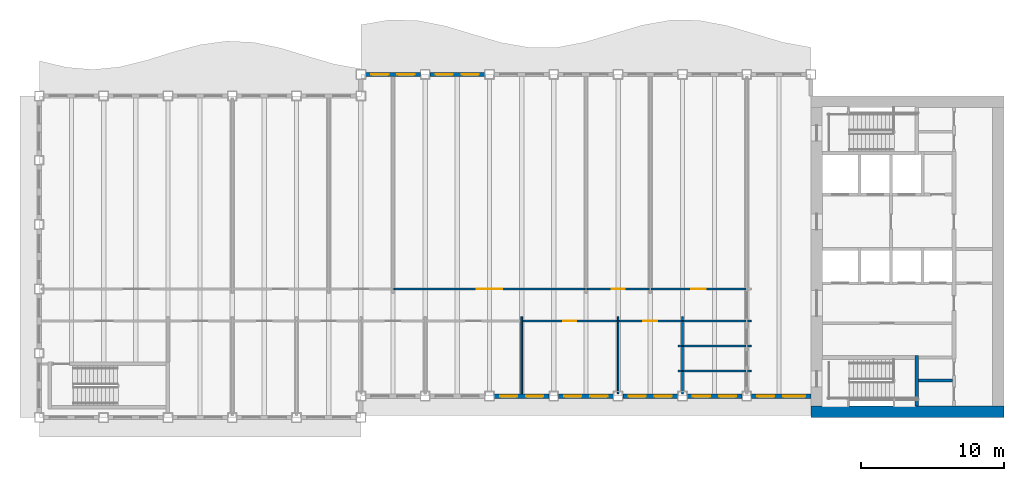
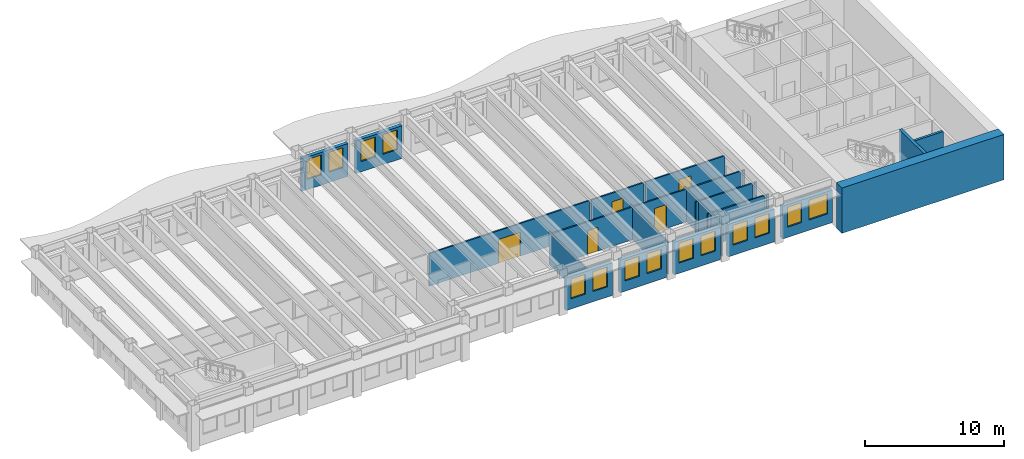
# One storey, part 4 of 12: 26 walls, 14 windows, 5 doors, 19 openings.
"""IFC4 building model written with IfcOpenShell, lengths in metres."""

import ifcopenshell
import ifcopenshell.guid

model = None  # the IFC model being written
_history = None  # IfcOwnerHistory: only IFC2X3 demands one
_inside = {}  # id of a spatial element -> (the spatial element, [elements in it])
_under = {}  # id of a project, library or spatial element -> (it, [spatial elements below it])
_declared = {}  # id of a project -> (the project, [libraries it declares])
_typed = {}  # id of a type object -> (the type object, [elements of that type])
_made_of = {}  # id of a material, layer set ... -> (it, [elements and type objects made of it])


def new_model(schema):
    """Start an empty IFC model of exactly this schema.

    Asked for "IFC4X3", IfcOpenShell would pick the latest addendum, in which some entities
    have other attributes; the version numbers below select the first issue.
    IFC2X3 requires an IfcOwnerHistory on every rooted entity: one is made here for all.
    """
    global model, _history
    if schema == "IFC4X3":
        model = ifcopenshell.file(schema_version=(4, 3, 0, 0))
    else:
        model = ifcopenshell.file(schema=schema)
    _inside.clear()
    _under.clear()
    _declared.clear()
    _typed.clear()
    _made_of.clear()
    _history = None
    if model.schema == "IFC2X3":
        org = make("IfcOrganization", Name="unknown")
        user = make(
            "IfcPersonAndOrganization",
            ThePerson=make("IfcPerson", FamilyName="unknown"),
            TheOrganization=org,
        )
        app = make(
            "IfcApplication",
            ApplicationDeveloper=org,
            Version="unknown",
            ApplicationFullName="unknown",
            ApplicationIdentifier="unknown",
        )
        _history = make(
            "IfcOwnerHistory",
            OwningUser=user,
            OwningApplication=app,
            ChangeAction="ADDED",
            CreationDate=0,
        )
    return model


def make(cls, **values):
    """One entity of the class cls with the attributes given. An attribute that is None is left unset."""
    return model.create_entity(
        cls, **{name: value for name, value in values.items() if value is not None}
    )


def rooted(cls, **values):
    """An entity with a GlobalId (a new one), such as an element, a storey or a relation."""
    return make(cls, GlobalId=ifcopenshell.guid.new(), OwnerHistory=_history, **values)


def si_unit(unit_type, name, prefix=None):
    """IfcSIUnit, for example si_unit("LENGTHUNIT", "METRE", prefix="MILLI")."""
    return make("IfcSIUnit", UnitType=unit_type, Prefix=prefix, Name=name)


def assignment(units):
    """IfcUnitAssignment: the units of a project."""
    return None if units is None else make("IfcUnitAssignment", Units=units)


def point(xyz):
    """IfcCartesianPoint."""
    return None if xyz is None else make("IfcCartesianPoint", Coordinates=xyz)


def direction(xyz):
    """IfcDirection."""
    return None if xyz is None else make("IfcDirection", DirectionRatios=xyz)


def frame(location, z_axis=None, x_axis=None):
    """IfcAxis2Placement3D, a coordinate frame: its origin and axes. An axis left out is left unset."""
    return make(
        "IfcAxis2Placement3D",
        Location=point(location),
        Axis=direction(z_axis),
        RefDirection=direction(x_axis),
    )


def frame_2d(location, x_axis=None):
    """IfcAxis2Placement2D, a coordinate frame in the plane: its origin and x axis."""
    return make(
        "IfcAxis2Placement2D", Location=point(location), RefDirection=direction(x_axis)
    )


def origin():
    """The frame at (0, 0, 0) with its axes left unset."""
    return frame((0.0, 0.0, 0.0))


def place(relative_to, where):
    """IfcLocalPlacement: puts the frame where relative to a parent placement (None: the world)."""
    return make(
        "IfcLocalPlacement", PlacementRelTo=relative_to, RelativePlacement=where
    )


def context(
    kind, dimensions, precision=None, world=None, true_north=None, identifier=None
):
    """IfcGeometricRepresentationContext, for example the 3D "Model" context."""
    return make(
        "IfcGeometricRepresentationContext",
        ContextIdentifier=identifier,
        ContextType=kind,
        CoordinateSpaceDimension=dimensions,
        Precision=precision,
        WorldCoordinateSystem=world,
        TrueNorth=true_north,
    )


def subcontext(parent, identifier, kind, view, scale=None):
    """IfcGeometricRepresentationSubContext, for example "Body" below "Model"."""
    return make(
        "IfcGeometricRepresentationSubContext",
        ContextIdentifier=identifier,
        ContextType=kind,
        ParentContext=parent,
        TargetScale=scale,
        TargetView=view,
    )


def project(units=None, contexts=None):
    """IfcProject with its units and contexts."""
    return rooted(
        "IfcProject",
        Name="project",
        RepresentationContexts=contexts,
        UnitsInContext=assignment(units),
    )


def spatial(cls, under=None, at=None, **own):
    """A site, building, storey or space (cls), placed at a placement, below another one or the project."""
    s = rooted(cls, ObjectPlacement=at, **own)
    if under is not None:
        _under.setdefault(under.id(), (under, []))[1].append(s)
    return s


def profile(cls, at=None, kind="AREA", **sizes):
    """A parametric profile (cls). Its sizes go by their IFC names, for example OverallWidth=200.0."""
    return make(cls, ProfileType=kind, Position=at, **sizes)


def rectangle(**sizes):
    """IfcRectangleProfileDef."""
    return profile("IfcRectangleProfileDef", **sizes)


def extrude(swept, where, along, depth):
    """IfcExtrudedAreaSolid: the profile swept, set in the frame where, extruded along a direction by depth."""
    return make(
        "IfcExtrudedAreaSolid",
        SweptArea=swept,
        Position=where,
        ExtrudedDirection=direction(along),
        Depth=depth,
    )


def shape(context_of_items, identifier, shape_type, items):
    """IfcShapeRepresentation: the items that make up one representation, for example the "Body"."""
    return make(
        "IfcShapeRepresentation",
        ContextOfItems=context_of_items,
        RepresentationIdentifier=identifier,
        RepresentationType=shape_type,
        Items=items,
    )


def material(Name=None, Category=None):
    """IfcMaterial."""
    return make("IfcMaterial", Name=Name, Category=Category)


def layer(
    of_material, thickness, ventilated=None, Name=None, Category=None, Priority=None
):
    """IfcMaterialLayer: one layer of a wall or slab, of a material (None: an air gap)."""
    return make(
        "IfcMaterialLayer",
        Material=of_material,
        LayerThickness=thickness,
        IsVentilated=ventilated,
        Name=Name,
        Category=Category,
        Priority=Priority,
    )


def layer_set(layers, Name=None):
    """IfcMaterialLayerSet."""
    return make("IfcMaterialLayerSet", MaterialLayers=layers, LayerSetName=Name)


def made_of(thing, what):
    """Note that an element or type object is made of a material, layer set ...; save() writes the relation."""
    if what is not None:
        _made_of.setdefault(what.id(), (what, []))[1].append(thing)
    return thing


def type_object(cls, material=None, **own):
    """A type object (cls), such as IfcWallType, which elements share."""
    return made_of(rooted(cls, **own), material)


def element(
    cls,
    number,
    at=None,
    inside=None,
    cuts=None,
    type_object=None,
    material=None,
    context=None,
    identifier="Body",
    shape_type=None,
    held_by="IfcProductDefinitionShape",
    body=None,
    shapes=None,
    **own,
):
    """One element of the class cls, such as IfcWall. Its Tag is "e" and its number.

    at: its placement. inside: the storey or other place that contains it. cuts: it is an
    opening in that element (IfcRelVoidsElement). A single representation is given by context,
    identifier, shape_type and body (its items); several are given by shapes. held_by: the class
    of the entity that holds the representations. save() writes the other relations.
    """
    e = rooted(cls, Tag="e%d" % number, ObjectPlacement=at, **own)
    if body is not None:
        shapes = [shape(context, identifier, shape_type, body)]
    if shapes is not None:
        e.Representation = make(held_by, Representations=shapes)
    if inside is not None:
        _inside.setdefault(inside.id(), (inside, []))[1].append(e)
    if cuts is not None:
        rooted(
            "IfcRelVoidsElement", RelatingBuildingElement=cuts, RelatedOpeningElement=e
        )
    if type_object is not None:
        _typed.setdefault(type_object.id(), (type_object, []))[1].append(e)
    return made_of(e, material)


def fill(opening, filler):
    """IfcRelFillsElement: the door or window that sits in an opening."""
    return rooted(
        "IfcRelFillsElement",
        RelatingOpeningElement=opening,
        RelatedBuildingElement=filler,
    )


def aggregate(whole, parts):
    """IfcRelAggregates: a whole, such as a stair, and the parts it consists of."""
    return rooted("IfcRelAggregates", RelatingObject=whole, RelatedObjects=parts)


def save(model, path):
    """Write the relations noted so far, then the file.

    IfcRelAggregates (storeys below a building ...), IfcRelContainedInSpatialStructure (elements
    in a storey), IfcRelDefinesByType, IfcRelAssociatesMaterial and IfcRelDeclares: one each for
    every whole, place, type object, material and project.
    """
    for whole, parts in _under.values():
        aggregate(whole, parts)
    for where, things in _inside.values():
        rooted(
            "IfcRelContainedInSpatialStructure",
            RelatedElements=things,
            RelatingStructure=where,
        )
    for kind, things in _typed.values():
        rooted("IfcRelDefinesByType", RelatedObjects=things, RelatingType=kind)
    for what, things in _made_of.values():
        rooted("IfcRelAssociatesMaterial", RelatedObjects=things, RelatingMaterial=what)
    for by, libraries in _declared.values():
        rooted("IfcRelDeclares", RelatingContext=by, RelatedDefinitions=libraries)
    model.write(path)


model = new_model("IFC4")

# Units and contexts
model_context = context("Model", 3, precision=1e-05, world=origin(), true_north=direction((0.0, 1.0)))
body_context = subcontext(model_context, "Body", "Model", "MODEL_VIEW")
ifc_project = project(units=[si_unit("LENGTHUNIT", "METRE"), si_unit("AREAUNIT", "SQUARE_METRE"), si_unit("VOLUMEUNIT", "CUBIC_METRE"), si_unit("PLANEANGLEUNIT", "RADIAN"), si_unit("MASSUNIT", "GRAM", prefix="KILO")], contexts=[model_context])

# Site, building, storey
site_placement = place(None, origin())
site = spatial("IfcSite", under=ifc_project, at=site_placement, CompositionType="ELEMENT")
building_placement = place(site_placement, origin())
building = spatial("IfcBuilding", under=site, at=building_placement, Name="Sennacour Bend Tower", CompositionType="ELEMENT")
storey_placement = place(building_placement, frame((0.0, 0.0, 277.0)))
storey = spatial("IfcBuildingStorey", under=building, at=storey_placement, Name="L64", CompositionType="ELEMENT", Elevation=277.0)

# Walls
ifc_material_1 = material(Name="Concrete C50/60", Category="concrete")
ifc_layer_1 = layer(ifc_material_1, 0.800048828125, Name="Concrete C50/60", Category="concrete")
ifc_layer_set_1 = layer_set([ifc_layer_1], Name="Concrete C50/60")
wall_type_1 = type_object("IfcWallType", Name="Core wall 800 C50/60", PredefinedType="SHEAR", material=ifc_layer_set_1)
wall_1_placement = place(storey_placement, frame((67.5, 0.39990234375, -0.14990234375), z_axis=(0.0, 0.0, 1.0), x_axis=(-1.0, 0.0, 0.0)))
element("IfcWall", 1, at=wall_1_placement, inside=storey, type_object=wall_type_1, Name="Core A wall L64 S", PredefinedType="SHEAR", context=body_context, shape_type="SweptSolid", body=[
    extrude(rectangle(XDim=13.5, YDim=0.800048828125, at=frame_2d((6.75, 0.0))), origin(), (0.0, 0.0, 1.0), 4.0),
])
ifc_material_2 = material(Name="Plasterboard partition on steel studs", Category="steel")
ifc_layer_2 = layer(ifc_material_2, 0.1201171875, Name="Plasterboard partition on steel studs", Category="steel")
ifc_layer_set_2 = layer_set([ifc_layer_2], Name="Plasterboard partition on steel studs")
wall_type_2 = type_object("IfcWallType", Name="Partition 120", PredefinedType="PARTITIONING", material=ifc_layer_set_2)
for number, where, z_axis, x_axis, name in (
    (2, (33.75, 1.64990234375, 0.0), (0.0, 0.0, 1.0), (0.0, 1.0, 0.0), "P-L64-W013a"),
    (3, (40.5, 1.64990234375, 0.0), (0.0, 0.0, 1.0), (0.0, 1.0, 0.0), "P-L64-W015a"),
    (4, (45.0, 1.64990234375, 0.0), (0.0, 0.0, 1.0), (0.0, 1.0, 0.0), "P-L64-W017a"),
):
    element("IfcWall", number, at=place(storey_placement, frame(where, z_axis=z_axis, x_axis=x_axis)), inside=storey, type_object=wall_type_2, Name=name, PredefinedType="PARTITIONING", context=body_context, shape_type="SweptSolid", body=[
        extrude(rectangle(XDim=5.400146484375, YDim=0.1201171875, at=frame_2d((2.7001953125, 0.0))), origin(), (0.0, 0.0, 1.0), 2.8701171875),
    ])
wall_2_placement = place(storey_placement, frame((44.699951171875, 3.25, 0.0), z_axis=(0.0, 0.0, 1.0), x_axis=(1.0, 0.0, 0.0)))
element("IfcWall", 5, at=wall_2_placement, inside=storey, type_object=wall_type_2, Name="P-L64-W036aa", PredefinedType="PARTITIONING", context=body_context, shape_type="SweptSolid", body=[
    extrude(rectangle(XDim=0.239990234375, YDim=0.1201171875, at=frame_2d((0.1201171875, 0.0))), origin(), (0.0, 0.0, 1.0), 2.8701171875),
])
wall_3_placement = place(storey_placement, frame((45.06005859375, 3.25, 0.0), z_axis=(0.0, 0.0, 1.0), x_axis=(1.0, 0.0, 0.0)))
element("IfcWall", 6, at=wall_3_placement, inside=storey, type_object=wall_type_2, Name="P-L64-W036ab", PredefinedType="PARTITIONING", context=body_context, shape_type="SweptSolid", body=[
    extrude(rectangle(XDim=4.3798828125, YDim=0.1201171875, at=frame_2d((2.18994140625, 0.0))), origin(), (0.0, 0.0, 1.0), 2.8701171875),
])
for number, where, z_axis, x_axis, name in (
    (7, (49.56005859375, 3.25, 0.0), (0.0, 0.0, 1.0), (1.0, 0.0, 0.0), "P-L64-W036ac"),
    (8, (44.699951171875, 5.0, 0.0), (0.0, 0.0, 1.0), (1.0, 0.0, 0.0), "P-L64-W041aa"),
):
    element("IfcWall", number, at=place(storey_placement, frame(where, z_axis=z_axis, x_axis=x_axis)), inside=storey, type_object=wall_type_2, Name=name, PredefinedType="PARTITIONING", context=body_context, shape_type="SweptSolid", body=[
        extrude(rectangle(XDim=0.239990234375, YDim=0.1201171875, at=frame_2d((0.1201171875, 0.0))), origin(), (0.0, 0.0, 1.0), 2.8701171875),
    ])
wall_4_placement = place(storey_placement, frame((45.06005859375, 5.0, 0.0), z_axis=(0.0, 0.0, 1.0), x_axis=(1.0, 0.0, 0.0)))
element("IfcWall", 9, at=wall_4_placement, inside=storey, type_object=wall_type_2, Name="P-L64-W041ab", PredefinedType="PARTITIONING", context=body_context, shape_type="SweptSolid", body=[
    extrude(rectangle(XDim=4.3798828125, YDim=0.1201171875, at=frame_2d((2.18994140625, 0.0))), origin(), (0.0, 0.0, 1.0), 2.8701171875),
])
wall_5_placement = place(storey_placement, frame((49.56005859375, 5.0, 0.0), z_axis=(0.0, 0.0, 1.0), x_axis=(1.0, 0.0, 0.0)))
element("IfcWall", 10, at=wall_5_placement, inside=storey, type_object=wall_type_2, Name="P-L64-W041ac", PredefinedType="PARTITIONING", context=body_context, shape_type="SweptSolid", body=[
    extrude(rectangle(XDim=0.239990234375, YDim=0.1201171875, at=frame_2d((0.1201171875, 0.0))), origin(), (0.0, 0.0, 1.0), 2.8701171875),
])

# Wall, opening, door
wall_6_placement = place(storey_placement, frame((40.56005859375, 6.75, 0.0), z_axis=(0.0, 0.0, 1.0), x_axis=(1.0, 0.0, 0.0)))
wall_6 = element("IfcWall", 11, at=wall_6_placement, inside=storey, type_object=wall_type_2, Name="P-L64-W043ah", PredefinedType="PARTITIONING", context=body_context, shape_type="SweptSolid", body=[
    extrude(rectangle(XDim=4.3798828125, YDim=0.1201171875, at=frame_2d((2.18994140625, 0.0))), origin(), (0.0, 0.0, 1.0), 2.8701171875),
])
opening_1_placement = place(wall_6_placement, frame((1.68994140625, 0.0, 0.0)))
opening_1 = element("IfcOpeningElement", 12, at=opening_1_placement, cuts=wall_6, Name="Opening OD2", PredefinedType="OPENING", context=body_context, shape_type="SweptSolid", body=[
    extrude(rectangle(XDim=1.0, YDim=2.10009765625, at=frame_2d((0.5, 1.050048828125))), frame((0.0, 0.070068359375, 0.0), z_axis=(0.0, -1.0, 0.0), x_axis=(1.0, 0.0, 0.0)), (0.0, 0.0, 1.0), 0.14013671875),
])
ifc_material_3 = material(Name="Timber", Category="wood")
door_type_1 = type_object("IfcDoorType", Name="DR-OFFICE-1000", OperationType="NOTDEFINED", PredefinedType="DOOR", material=ifc_material_3)
door_1_placement = place(opening_1_placement, origin())
door_1 = element("IfcDoor", 13, at=door_1_placement, inside=storey, type_object=door_type_1, Name="Door", OperationType="SINGLE_SWING_LEFT", OverallHeight=2.10009765625, OverallWidth=1.0, PredefinedType="DOOR", context=body_context, shape_type="SweptSolid", body=[
    extrude(rectangle(XDim=1.0, YDim=2.10009765625, at=frame_2d((0.5, 1.050048828125))), frame((0.0, 0.02490234375, 0.0), z_axis=(0.0, -1.0, 0.0), x_axis=(1.0, 0.0, 0.0)), (0.0, 0.0, 1.0), 0.050048828125),
])
fill(opening_1, door_1)

# Walls
wall_7_placement = place(storey_placement, frame((45.06005859375, 6.75, 0.0), z_axis=(0.0, 0.0, 1.0), x_axis=(1.0, 0.0, 0.0)))
element("IfcWall", 14, at=wall_7_placement, inside=storey, type_object=wall_type_2, Name="P-L64-W043ai", PredefinedType="PARTITIONING", context=body_context, shape_type="SweptSolid", body=[
    extrude(rectangle(XDim=4.3798828125, YDim=0.1201171875, at=frame_2d((2.18994140625, 0.0))), origin(), (0.0, 0.0, 1.0), 2.8701171875),
])
wall_8_placement = place(storey_placement, frame((49.56005859375, 6.75, 0.0), z_axis=(0.0, 0.0, 1.0), x_axis=(1.0, 0.0, 0.0)))
element("IfcWall", 15, at=wall_8_placement, inside=storey, type_object=wall_type_2, Name="P-L64-W043aj", PredefinedType="PARTITIONING", context=body_context, shape_type="SweptSolid", body=[
    extrude(rectangle(XDim=0.239990234375, YDim=0.1201171875, at=frame_2d((0.1201171875, 0.0))), origin(), (0.0, 0.0, 1.0), 2.8701171875),
])

# Wall, opening, door
wall_9_placement = place(storey_placement, frame((24.81005859375, 9.0, 0.0), z_axis=(0.0, 0.0, 1.0), x_axis=(1.0, 0.0, 0.0)))
wall_9 = element("IfcWall", 16, at=wall_9_placement, inside=storey, type_object=wall_type_2, Name="P-L64-W044ad", PredefinedType="PARTITIONING", context=body_context, shape_type="SweptSolid", body=[
    extrude(rectangle(XDim=13.3798828125, YDim=0.1201171875, at=frame_2d((6.68994140625, 0.0))), origin(), (0.0, 0.0, 1.0), 2.8701171875),
])
opening_2_placement = place(wall_9_placement, frame((5.789794921875, 0.0, 0.0)))
opening_2 = element("IfcOpeningElement", 17, at=opening_2_placement, cuts=wall_9, Name="Opening OD3", PredefinedType="OPENING", context=body_context, shape_type="SweptSolid", body=[
    extrude(rectangle(XDim=1.800048828125, YDim=2.10009765625, at=frame_2d((0.89990234375, 1.050048828125))), frame((0.0, 0.070068359375, 0.0), z_axis=(0.0, -1.0, 0.0), x_axis=(1.0, 0.0, 0.0)), (0.0, 0.0, 1.0), 0.14013671875),
])
door_type_2 = type_object("IfcDoorType", Name="DR-OFFICE-1800", OperationType="NOTDEFINED", PredefinedType="DOOR", material=ifc_material_3)
door_2_placement = place(opening_2_placement, origin())
door_2 = element("IfcDoor", 18, at=door_2_placement, inside=storey, type_object=door_type_2, Name="Door", OperationType="DOUBLE_DOOR_SINGLE_SWING", OverallHeight=2.10009765625, OverallWidth=1.800048828125, PredefinedType="DOOR", context=body_context, shape_type="SweptSolid", body=[
    extrude(rectangle(XDim=1.800048828125, YDim=2.10009765625, at=frame_2d((0.89990234375, 1.050048828125))), frame((0.0, 0.02490234375, 0.0), z_axis=(0.0, -1.0, 0.0), x_axis=(1.0, 0.0, 0.0)), (0.0, 0.0, 1.0), 0.050048828125),
])
fill(opening_2, door_2)

wall_10_placement = place(storey_placement, frame((42.81005859375, 9.0, 0.0), z_axis=(0.0, 0.0, 1.0), x_axis=(1.0, 0.0, 0.0)))
wall_10 = element("IfcWall", 19, at=wall_10_placement, inside=storey, type_object=wall_type_2, Name="P-L64-W044af", PredefinedType="PARTITIONING", context=body_context, shape_type="SweptSolid", body=[
    extrude(rectangle(XDim=6.6298828125, YDim=0.1201171875, at=frame_2d((3.31494140625, 0.0))), origin(), (0.0, 0.0, 1.0), 2.8701171875),
])
opening_3_placement = place(wall_10_placement, frame((2.81494140625, 0.0, 0.0)))
opening_3 = element("IfcOpeningElement", 20, at=opening_3_placement, cuts=wall_10, Name="Opening OD2", PredefinedType="OPENING", context=body_context, shape_type="SweptSolid", body=[
    extrude(rectangle(XDim=1.0, YDim=2.10009765625, at=frame_2d((0.5, 1.050048828125))), frame((0.0, 0.070068359375, 0.0), z_axis=(0.0, -1.0, 0.0), x_axis=(1.0, 0.0, 0.0)), (0.0, 0.0, 1.0), 0.14013671875),
])
door_3_placement = place(opening_3_placement, origin())
door_3 = element("IfcDoor", 21, at=door_3_placement, inside=storey, type_object=door_type_1, Name="Door", OperationType="SINGLE_SWING_LEFT", OverallHeight=2.10009765625, OverallWidth=1.0, PredefinedType="DOOR", context=body_context, shape_type="SweptSolid", body=[
    extrude(rectangle(XDim=1.0, YDim=2.10009765625, at=frame_2d((0.5, 1.050048828125))), frame((0.0, 0.02490234375, 0.0), z_axis=(0.0, -1.0, 0.0), x_axis=(1.0, 0.0, 0.0)), (0.0, 0.0, 1.0), 0.050048828125),
])
fill(opening_3, door_3)

ifc_layer_3 = layer(ifc_material_2, 0.1201171875, Name="Plasterboard partition on steel studs", Category="steel")
ifc_layer_set_3 = layer_set([ifc_layer_3], Name="Plasterboard partition on steel studs")
wall_type_3 = type_object("IfcWallType", Name="Partition 120 EI 60", PredefinedType="PARTITIONING", material=ifc_layer_set_3)
wall_11_placement = place(storey_placement, frame((33.81005859375, 6.75, 0.0), z_axis=(0.0, 0.0, 1.0), x_axis=(1.0, 0.0, 0.0)))
wall_11 = element("IfcWall", 22, at=wall_11_placement, inside=storey, type_object=wall_type_3, Name="P-L64-W043ag", PredefinedType="PARTITIONING", context=body_context, shape_type="SweptSolid", body=[
    extrude(rectangle(XDim=6.6298828125, YDim=0.1201171875, at=frame_2d((3.31494140625, 0.0))), origin(), (0.0, 0.0, 1.0), 2.8701171875),
])
opening_4_placement = place(wall_11_placement, frame((2.864990234375, 0.0, 0.0)))
opening_4 = element("IfcOpeningElement", 23, at=opening_4_placement, cuts=wall_11, Name="Opening SV", PredefinedType="OPENING", context=body_context, shape_type="SweptSolid", body=[
    extrude(rectangle(XDim=0.89990234375, YDim=2.10009765625, at=frame_2d((0.449951171875, 1.050048828125))), frame((0.0, 0.070068359375, 0.0), z_axis=(0.0, -1.0, 0.0), x_axis=(1.0, 0.0, 0.0)), (0.0, 0.0, 1.0), 0.14013671875),
])
ifc_material_4 = material(Name="Painted steel", Category="steel")
door_type_3 = type_object("IfcDoorType", Name="DR-SERVICE-900", OperationType="NOTDEFINED", PredefinedType="DOOR", material=ifc_material_4)
door_4_placement = place(opening_4_placement, origin())
door_4 = element("IfcDoor", 24, at=door_4_placement, inside=storey, type_object=door_type_3, Name="Door", OperationType="SINGLE_SWING_LEFT", OverallHeight=2.10009765625, OverallWidth=0.89990234375, PredefinedType="DOOR", context=body_context, shape_type="SweptSolid", body=[
    extrude(rectangle(XDim=0.89990234375, YDim=2.10009765625, at=frame_2d((0.449951171875, 1.050048828125))), frame((0.0, 0.02490234375, 0.0), z_axis=(0.0, -1.0, 0.0), x_axis=(1.0, 0.0, 0.0)), (0.0, 0.0, 1.0), 0.050048828125),
])
fill(opening_4, door_4)

wall_12_placement = place(storey_placement, frame((38.31005859375, 9.0, 0.0), z_axis=(0.0, 0.0, 1.0), x_axis=(1.0, 0.0, 0.0)))
wall_12 = element("IfcWall", 25, at=wall_12_placement, inside=storey, type_object=wall_type_3, Name="P-L64-W044ae", PredefinedType="PARTITIONING", context=body_context, shape_type="SweptSolid", body=[
    extrude(rectangle(XDim=4.3798828125, YDim=0.1201171875, at=frame_2d((2.18994140625, 0.0))), origin(), (0.0, 0.0, 1.0), 2.8701171875),
])
opening_5_placement = place(wall_12_placement, frame((1.739990234375, 0.0, 0.0)))
opening_5 = element("IfcOpeningElement", 26, at=opening_5_placement, cuts=wall_12, Name="Opening SV", PredefinedType="OPENING", context=body_context, shape_type="SweptSolid", body=[
    extrude(rectangle(XDim=0.89990234375, YDim=2.10009765625, at=frame_2d((0.449951171875, 1.050048828125))), frame((0.0, 0.070068359375, 0.0), z_axis=(0.0, -1.0, 0.0), x_axis=(1.0, 0.0, 0.0)), (0.0, 0.0, 1.0), 0.14013671875),
])
door_5_placement = place(opening_5_placement, origin())
door_5 = element("IfcDoor", 27, at=door_5_placement, inside=storey, type_object=door_type_3, Name="Door", OperationType="SINGLE_SWING_LEFT", OverallHeight=2.10009765625, OverallWidth=0.89990234375, PredefinedType="DOOR", context=body_context, shape_type="SweptSolid", body=[
    extrude(rectangle(XDim=0.89990234375, YDim=2.10009765625, at=frame_2d((0.449951171875, 1.050048828125))), frame((0.0, 0.02490234375, 0.0), z_axis=(0.0, -1.0, 0.0), x_axis=(1.0, 0.0, 0.0)), (0.0, 0.0, 1.0), 0.050048828125),
])
fill(opening_5, door_5)

# Wall
ifc_material_5 = material(Name="Fire-rated plasterboard partition on steel studs", Category="steel")
ifc_layer_4 = layer(ifc_material_5, 0.199951171875, Name="Fire-rated plasterboard partition on steel studs", Category="steel")
ifc_layer_set_4 = layer_set([ifc_layer_4], Name="Fire-rated plasterboard partition on steel studs")
wall_type_4 = type_object("IfcWallType", Name="Rated partition 200", PredefinedType="PARTITIONING", material=ifc_layer_set_4)
wall_13_placement = place(storey_placement, frame((61.52490234375, 2.60009765625, 0.0), z_axis=(0.0, 0.0, 1.0), x_axis=(1.0, 0.0, 0.0)))
element("IfcWall", 28, at=wall_13_placement, inside=storey, type_object=wall_type_4, Name="P-L64-W035", PredefinedType="PARTITIONING", context=body_context, shape_type="SweptSolid", body=[
    extrude(rectangle(XDim=2.375, YDim=0.199951171875, at=frame_2d((1.1875, 0.0))), origin(), (0.0, 0.0, 1.0), 3.85009765625),
])

# Wall, openings, windows
ifc_material_6 = material(Name="Warm limestone cladding", Category="masonry")
ifc_layer_5 = layer(ifc_material_6, 0.050048828125, Name="Warm limestone cladding", Category="masonry")
ifc_material_7 = material(Name="Precast concrete C40/50", Category="concrete")
ifc_layer_6 = layer(ifc_material_7, 0.25, Name="Precast concrete C40/50", Category="concrete")
ifc_layer_set_5 = layer_set([ifc_layer_5, ifc_layer_6], Name="Precast concrete C40/50 with limestone cladding")
wall_type_5 = type_object("IfcWallType", Name="STONE-CLAD PRECAST SPANDREL 300", PredefinedType="STANDARD", material=ifc_layer_set_5)
wall_14_placement = place(storey_placement, frame((31.824951171875, 1.5, 0.0), z_axis=(0.0, 0.0, 1.0), x_axis=(1.0, 0.0, 0.0)))
wall_14 = element("IfcWall", 29, at=wall_14_placement, inside=storey, type_object=wall_type_5, Name="Stone spandrel and pier wall L64 01.02", PredefinedType="STANDARD", context=body_context, shape_type="SweptSolid", body=[
    extrude(rectangle(XDim=3.85009765625, YDim=0.300048828125, at=frame_2d((1.925048828125, 0.0))), origin(), (0.0, 0.0, 1.0), 2.8701171875),
])
opening_6_placement = place(wall_14_placement, frame((0.41259765625, 0.0, 0.89990234375)))
opening_6 = element("IfcOpeningElement", 30, at=opening_6_placement, cuts=wall_14, Name="Opening W16", PredefinedType="OPENING", context=body_context, shape_type="SweptSolid", body=[
    extrude(rectangle(XDim=1.199951171875, YDim=1.75, at=frame_2d((0.60009765625, 0.875))), frame((0.0, 0.16015625, 0.0), z_axis=(0.0, -1.0, 0.0), x_axis=(1.0, 0.0, 0.0)), (0.0, 0.0, 1.0), 0.320068359375),
])
opening_7_placement = place(wall_14_placement, frame((2.237548828125, 0.0, 0.89990234375)))
opening_7 = element("IfcOpeningElement", 31, at=opening_7_placement, cuts=wall_14, Name="Opening W16", PredefinedType="OPENING", context=body_context, shape_type="SweptSolid", body=[
    extrude(rectangle(XDim=1.199951171875, YDim=1.75, at=frame_2d((0.60009765625, 0.875))), frame((0.0, 0.16015625, 0.0), z_axis=(0.0, -1.0, 0.0), x_axis=(1.0, 0.0, 0.0)), (0.0, 0.0, 1.0), 0.320068359375),
])
ifc_material_8 = material(Name="Clear low-emissivity glass", Category="glass")
window_type_1 = type_object("IfcWindowType", Name="WIN-RIBBON-1200x1750", PartitioningType="SINGLE_PANEL", PredefinedType="WINDOW", material=ifc_material_8)
window_1_placement = place(opening_6_placement, origin())
window_1 = element("IfcWindow", 32, at=window_1_placement, inside=storey, type_object=window_type_1, Name="Ribbon window L64 01.02.0", OverallHeight=1.75, OverallWidth=1.199951171875, PartitioningType="SINGLE_PANEL", PredefinedType="WINDOW", context=body_context, shape_type="SweptSolid", body=[
    extrude(rectangle(XDim=1.199951171875, YDim=1.75, at=frame_2d((0.60009765625, 0.875))), frame((0.0, 0.030029296875, 0.0), z_axis=(0.0, -1.0, 0.0), x_axis=(1.0, 0.0, 0.0)), (0.0, 0.0, 1.0), 0.06005859375),
])
fill(opening_6, window_1)
window_2_placement = place(opening_7_placement, origin())
window_2 = element("IfcWindow", 33, at=window_2_placement, inside=storey, type_object=window_type_1, Name="Ribbon window L64 01.02.1", OverallHeight=1.75, OverallWidth=1.199951171875, PartitioningType="SINGLE_PANEL", PredefinedType="WINDOW", context=body_context, shape_type="SweptSolid", body=[
    extrude(rectangle(XDim=1.199951171875, YDim=1.75, at=frame_2d((0.60009765625, 0.875))), frame((0.0, 0.030029296875, 0.0), z_axis=(0.0, -1.0, 0.0), x_axis=(1.0, 0.0, 0.0)), (0.0, 0.0, 1.0), 0.06005859375),
])
fill(opening_7, window_2)

wall_15_placement = place(storey_placement, frame((36.324951171875, 1.5, 0.0), z_axis=(0.0, 0.0, 1.0), x_axis=(1.0, 0.0, 0.0)))
wall_15 = element("IfcWall", 34, at=wall_15_placement, inside=storey, type_object=wall_type_5, Name="Stone spandrel and pier wall L64 01.03", PredefinedType="STANDARD", context=body_context, shape_type="SweptSolid", body=[
    extrude(rectangle(XDim=3.85009765625, YDim=0.300048828125, at=frame_2d((1.925048828125, 0.0))), origin(), (0.0, 0.0, 1.0), 2.8701171875),
])
opening_8_placement = place(wall_15_placement, frame((0.41259765625, 0.0, 0.89990234375)))
opening_8 = element("IfcOpeningElement", 35, at=opening_8_placement, cuts=wall_15, Name="Opening W16", PredefinedType="OPENING", context=body_context, shape_type="SweptSolid", body=[
    extrude(rectangle(XDim=1.199951171875, YDim=1.75, at=frame_2d((0.60009765625, 0.875))), frame((0.0, 0.16015625, 0.0), z_axis=(0.0, -1.0, 0.0), x_axis=(1.0, 0.0, 0.0)), (0.0, 0.0, 1.0), 0.320068359375),
])
opening_9_placement = place(wall_15_placement, frame((2.237548828125, 0.0, 0.89990234375)))
opening_9 = element("IfcOpeningElement", 36, at=opening_9_placement, cuts=wall_15, Name="Opening W16", PredefinedType="OPENING", context=body_context, shape_type="SweptSolid", body=[
    extrude(rectangle(XDim=1.199951171875, YDim=1.75, at=frame_2d((0.60009765625, 0.875))), frame((0.0, 0.16015625, 0.0), z_axis=(0.0, -1.0, 0.0), x_axis=(1.0, 0.0, 0.0)), (0.0, 0.0, 1.0), 0.320068359375),
])
window_3_placement = place(opening_8_placement, origin())
window_3 = element("IfcWindow", 37, at=window_3_placement, inside=storey, type_object=window_type_1, Name="Ribbon window L64 01.03.0", OverallHeight=1.75, OverallWidth=1.199951171875, PartitioningType="SINGLE_PANEL", PredefinedType="WINDOW", context=body_context, shape_type="SweptSolid", body=[
    extrude(rectangle(XDim=1.199951171875, YDim=1.75, at=frame_2d((0.60009765625, 0.875))), frame((0.0, 0.030029296875, 0.0), z_axis=(0.0, -1.0, 0.0), x_axis=(1.0, 0.0, 0.0)), (0.0, 0.0, 1.0), 0.06005859375),
])
fill(opening_8, window_3)
window_4_placement = place(opening_9_placement, origin())
window_4 = element("IfcWindow", 38, at=window_4_placement, inside=storey, type_object=window_type_1, Name="Ribbon window L64 01.03.1", OverallHeight=1.75, OverallWidth=1.199951171875, PartitioningType="SINGLE_PANEL", PredefinedType="WINDOW", context=body_context, shape_type="SweptSolid", body=[
    extrude(rectangle(XDim=1.199951171875, YDim=1.75, at=frame_2d((0.60009765625, 0.875))), frame((0.0, 0.030029296875, 0.0), z_axis=(0.0, -1.0, 0.0), x_axis=(1.0, 0.0, 0.0)), (0.0, 0.0, 1.0), 0.06005859375),
])
fill(opening_9, window_4)

wall_16_placement = place(storey_placement, frame((40.824951171875, 1.5, 0.0), z_axis=(0.0, 0.0, 1.0), x_axis=(1.0, 0.0, 0.0)))
wall_16 = element("IfcWall", 39, at=wall_16_placement, inside=storey, type_object=wall_type_5, Name="Stone spandrel and pier wall L64 01.04", PredefinedType="STANDARD", context=body_context, shape_type="SweptSolid", body=[
    extrude(rectangle(XDim=3.85009765625, YDim=0.300048828125, at=frame_2d((1.925048828125, 0.0))), origin(), (0.0, 0.0, 1.0), 2.8701171875),
])
opening_10_placement = place(wall_16_placement, frame((0.41259765625, 0.0, 0.89990234375)))
opening_10 = element("IfcOpeningElement", 40, at=opening_10_placement, cuts=wall_16, Name="Opening W16", PredefinedType="OPENING", context=body_context, shape_type="SweptSolid", body=[
    extrude(rectangle(XDim=1.199951171875, YDim=1.75, at=frame_2d((0.60009765625, 0.875))), frame((0.0, 0.16015625, 0.0), z_axis=(0.0, -1.0, 0.0), x_axis=(1.0, 0.0, 0.0)), (0.0, 0.0, 1.0), 0.320068359375),
])
opening_11_placement = place(wall_16_placement, frame((2.237548828125, 0.0, 0.89990234375)))
opening_11 = element("IfcOpeningElement", 41, at=opening_11_placement, cuts=wall_16, Name="Opening W16", PredefinedType="OPENING", context=body_context, shape_type="SweptSolid", body=[
    extrude(rectangle(XDim=1.199951171875, YDim=1.75, at=frame_2d((0.60009765625, 0.875))), frame((0.0, 0.16015625, 0.0), z_axis=(0.0, -1.0, 0.0), x_axis=(1.0, 0.0, 0.0)), (0.0, 0.0, 1.0), 0.320068359375),
])
window_5_placement = place(opening_10_placement, origin())
window_5 = element("IfcWindow", 42, at=window_5_placement, inside=storey, type_object=window_type_1, Name="Ribbon window L64 01.04.0", OverallHeight=1.75, OverallWidth=1.199951171875, PartitioningType="SINGLE_PANEL", PredefinedType="WINDOW", context=body_context, shape_type="SweptSolid", body=[
    extrude(rectangle(XDim=1.199951171875, YDim=1.75, at=frame_2d((0.60009765625, 0.875))), frame((0.0, 0.030029296875, 0.0), z_axis=(0.0, -1.0, 0.0), x_axis=(1.0, 0.0, 0.0)), (0.0, 0.0, 1.0), 0.06005859375),
])
fill(opening_10, window_5)
window_6_placement = place(opening_11_placement, origin())
window_6 = element("IfcWindow", 43, at=window_6_placement, inside=storey, type_object=window_type_1, Name="Ribbon window L64 01.04.1", OverallHeight=1.75, OverallWidth=1.199951171875, PartitioningType="SINGLE_PANEL", PredefinedType="WINDOW", context=body_context, shape_type="SweptSolid", body=[
    extrude(rectangle(XDim=1.199951171875, YDim=1.75, at=frame_2d((0.60009765625, 0.875))), frame((0.0, 0.030029296875, 0.0), z_axis=(0.0, -1.0, 0.0), x_axis=(1.0, 0.0, 0.0)), (0.0, 0.0, 1.0), 0.06005859375),
])
fill(opening_11, window_6)

wall_17_placement = place(storey_placement, frame((45.324951171875, 1.5, 0.0), z_axis=(0.0, 0.0, 1.0), x_axis=(1.0, 0.0, 0.0)))
wall_17 = element("IfcWall", 44, at=wall_17_placement, inside=storey, type_object=wall_type_5, Name="Stone spandrel and pier wall L64 01.05", PredefinedType="STANDARD", context=body_context, shape_type="SweptSolid", body=[
    extrude(rectangle(XDim=3.85009765625, YDim=0.300048828125, at=frame_2d((1.925048828125, 0.0))), origin(), (0.0, 0.0, 1.0), 2.8701171875),
])
opening_12_placement = place(wall_17_placement, frame((0.41259765625, 0.0, 0.89990234375)))
opening_12 = element("IfcOpeningElement", 45, at=opening_12_placement, cuts=wall_17, Name="Opening W16", PredefinedType="OPENING", context=body_context, shape_type="SweptSolid", body=[
    extrude(rectangle(XDim=1.199951171875, YDim=1.75, at=frame_2d((0.60009765625, 0.875))), frame((0.0, 0.16015625, 0.0), z_axis=(0.0, -1.0, 0.0), x_axis=(1.0, 0.0, 0.0)), (0.0, 0.0, 1.0), 0.320068359375),
])
opening_13_placement = place(wall_17_placement, frame((2.237548828125, 0.0, 0.89990234375)))
opening_13 = element("IfcOpeningElement", 46, at=opening_13_placement, cuts=wall_17, Name="Opening W16", PredefinedType="OPENING", context=body_context, shape_type="SweptSolid", body=[
    extrude(rectangle(XDim=1.199951171875, YDim=1.75, at=frame_2d((0.60009765625, 0.875))), frame((0.0, 0.16015625, 0.0), z_axis=(0.0, -1.0, 0.0), x_axis=(1.0, 0.0, 0.0)), (0.0, 0.0, 1.0), 0.320068359375),
])
window_7_placement = place(opening_12_placement, origin())
window_7 = element("IfcWindow", 47, at=window_7_placement, inside=storey, type_object=window_type_1, Name="Ribbon window L64 01.05.0", OverallHeight=1.75, OverallWidth=1.199951171875, PartitioningType="SINGLE_PANEL", PredefinedType="WINDOW", context=body_context, shape_type="SweptSolid", body=[
    extrude(rectangle(XDim=1.199951171875, YDim=1.75, at=frame_2d((0.60009765625, 0.875))), frame((0.0, 0.030029296875, 0.0), z_axis=(0.0, -1.0, 0.0), x_axis=(1.0, 0.0, 0.0)), (0.0, 0.0, 1.0), 0.06005859375),
])
fill(opening_12, window_7)
window_8_placement = place(opening_13_placement, origin())
window_8 = element("IfcWindow", 48, at=window_8_placement, inside=storey, type_object=window_type_1, Name="Ribbon window L64 01.05.1", OverallHeight=1.75, OverallWidth=1.199951171875, PartitioningType="SINGLE_PANEL", PredefinedType="WINDOW", context=body_context, shape_type="SweptSolid", body=[
    extrude(rectangle(XDim=1.199951171875, YDim=1.75, at=frame_2d((0.60009765625, 0.875))), frame((0.0, 0.030029296875, 0.0), z_axis=(0.0, -1.0, 0.0), x_axis=(1.0, 0.0, 0.0)), (0.0, 0.0, 1.0), 0.06005859375),
])
fill(opening_13, window_8)

wall_18_placement = place(storey_placement, frame((49.824951171875, 1.5, 0.0), z_axis=(0.0, 0.0, 1.0), x_axis=(1.0, 0.0, 0.0)))
wall_18 = element("IfcWall", 49, at=wall_18_placement, inside=storey, type_object=wall_type_5, Name="Stone spandrel and pier wall L64 01.06", PredefinedType="STANDARD", context=body_context, shape_type="SweptSolid", body=[
    extrude(rectangle(XDim=4.175048828125, YDim=0.300048828125, at=frame_2d((2.08740234375, 0.0))), origin(), (0.0, 0.0, 1.0), 2.8701171875),
])
opening_14_placement = place(wall_18_placement, frame((0.41259765625, 0.0, 0.89990234375)))
opening_14 = element("IfcOpeningElement", 50, at=opening_14_placement, cuts=wall_18, Name="Opening W16", PredefinedType="OPENING", context=body_context, shape_type="SweptSolid", body=[
    extrude(rectangle(XDim=1.199951171875, YDim=1.75, at=frame_2d((0.60009765625, 0.875))), frame((0.0, 0.16015625, 0.0), z_axis=(0.0, -1.0, 0.0), x_axis=(1.0, 0.0, 0.0)), (0.0, 0.0, 1.0), 0.320068359375),
])
opening_15_placement = place(wall_18_placement, frame((2.22509765625, 0.0, 0.89990234375)))
opening_15 = element("IfcOpeningElement", 51, at=opening_15_placement, cuts=wall_18, Name="Opening W12", PredefinedType="OPENING", context=body_context, shape_type="SweptSolid", body=[
    extrude(rectangle(XDim=1.550048828125, YDim=1.75, at=frame_2d((0.77490234375, 0.875))), frame((0.0, 0.16015625, 0.0), z_axis=(0.0, -1.0, 0.0), x_axis=(1.0, 0.0, 0.0)), (0.0, 0.0, 1.0), 0.320068359375),
])
window_9_placement = place(opening_14_placement, origin())
window_9 = element("IfcWindow", 52, at=window_9_placement, inside=storey, type_object=window_type_1, Name="Ribbon window L64 01.06.0", OverallHeight=1.75, OverallWidth=1.199951171875, PartitioningType="SINGLE_PANEL", PredefinedType="WINDOW", context=body_context, shape_type="SweptSolid", body=[
    extrude(rectangle(XDim=1.199951171875, YDim=1.75, at=frame_2d((0.60009765625, 0.875))), frame((0.0, 0.030029296875, 0.0), z_axis=(0.0, -1.0, 0.0), x_axis=(1.0, 0.0, 0.0)), (0.0, 0.0, 1.0), 0.06005859375),
])
fill(opening_14, window_9)
window_type_2 = type_object("IfcWindowType", Name="WIN-RIBBON-1550x1750", PartitioningType="SINGLE_PANEL", PredefinedType="WINDOW", material=ifc_material_8)
window_10_placement = place(opening_15_placement, origin())
window_10 = element("IfcWindow", 53, at=window_10_placement, inside=storey, type_object=window_type_2, Name="Ribbon window L64 01.06.1", OverallHeight=1.75, OverallWidth=1.550048828125, PartitioningType="SINGLE_PANEL", PredefinedType="WINDOW", context=body_context, shape_type="SweptSolid", body=[
    extrude(rectangle(XDim=1.550048828125, YDim=1.75, at=frame_2d((0.77490234375, 0.875))), frame((0.0, 0.030029296875, 0.0), z_axis=(0.0, -1.0, 0.0), x_axis=(1.0, 0.0, 0.0)), (0.0, 0.0, 1.0), 0.06005859375),
])
fill(opening_15, window_10)

wall_19_placement = place(storey_placement, frame((31.175048828125, 24.0, 0.0), z_axis=(0.0, 0.0, 1.0), x_axis=(-1.0, 0.0, 0.0)))
wall_19 = element("IfcWall", 54, at=wall_19_placement, inside=storey, type_object=wall_type_5, Name="Stone spandrel and pier wall L64 07.05", PredefinedType="STANDARD", context=body_context, shape_type="SweptSolid", body=[
    extrude(rectangle(XDim=3.85009765625, YDim=0.300048828125, at=frame_2d((1.925048828125, 0.0))), origin(), (0.0, 0.0, 1.0), 2.8701171875),
])
opening_16_placement = place(wall_19_placement, frame((0.41259765625, 0.0, 0.89990234375)))
opening_16 = element("IfcOpeningElement", 55, at=opening_16_placement, cuts=wall_19, Name="Opening W16", PredefinedType="OPENING", context=body_context, shape_type="SweptSolid", body=[
    extrude(rectangle(XDim=1.199951171875, YDim=1.75, at=frame_2d((0.60009765625, 0.875))), frame((0.0, 0.16015625, 0.0), z_axis=(0.0, -1.0, 0.0), x_axis=(1.0, 0.0, 0.0)), (0.0, 0.0, 1.0), 0.320068359375),
])
opening_17_placement = place(wall_19_placement, frame((2.237548828125, 0.0, 0.89990234375)))
opening_17 = element("IfcOpeningElement", 56, at=opening_17_placement, cuts=wall_19, Name="Opening W16", PredefinedType="OPENING", context=body_context, shape_type="SweptSolid", body=[
    extrude(rectangle(XDim=1.199951171875, YDim=1.75, at=frame_2d((0.60009765625, 0.875))), frame((0.0, 0.16015625, 0.0), z_axis=(0.0, -1.0, 0.0), x_axis=(1.0, 0.0, 0.0)), (0.0, 0.0, 1.0), 0.320068359375),
])
window_11_placement = place(opening_16_placement, origin())
window_11 = element("IfcWindow", 57, at=window_11_placement, inside=storey, type_object=window_type_1, Name="Ribbon window L64 07.05.0", OverallHeight=1.75, OverallWidth=1.199951171875, PartitioningType="SINGLE_PANEL", PredefinedType="WINDOW", context=body_context, shape_type="SweptSolid", body=[
    extrude(rectangle(XDim=1.199951171875, YDim=1.75, at=frame_2d((0.60009765625, 0.875))), frame((0.0, 0.030029296875, 0.0), z_axis=(0.0, -1.0, 0.0), x_axis=(1.0, 0.0, 0.0)), (0.0, 0.0, 1.0), 0.06005859375),
])
fill(opening_16, window_11)
window_12_placement = place(opening_17_placement, origin())
window_12 = element("IfcWindow", 58, at=window_12_placement, inside=storey, type_object=window_type_1, Name="Ribbon window L64 07.05.1", OverallHeight=1.75, OverallWidth=1.199951171875, PartitioningType="SINGLE_PANEL", PredefinedType="WINDOW", context=body_context, shape_type="SweptSolid", body=[
    extrude(rectangle(XDim=1.199951171875, YDim=1.75, at=frame_2d((0.60009765625, 0.875))), frame((0.0, 0.030029296875, 0.0), z_axis=(0.0, -1.0, 0.0), x_axis=(1.0, 0.0, 0.0)), (0.0, 0.0, 1.0), 0.06005859375),
])
fill(opening_17, window_12)

wall_20_placement = place(storey_placement, frame((26.675048828125, 24.0, 0.0), z_axis=(0.0, 0.0, 1.0), x_axis=(-1.0, 0.0, 0.0)))
wall_20 = element("IfcWall", 59, at=wall_20_placement, inside=storey, type_object=wall_type_5, Name="Stone spandrel and pier wall L64 07.06", PredefinedType="STANDARD", context=body_context, shape_type="SweptSolid", body=[
    extrude(rectangle(XDim=3.85009765625, YDim=0.300048828125, at=frame_2d((1.925048828125, 0.0))), origin(), (0.0, 0.0, 1.0), 2.8701171875),
])
opening_18_placement = place(wall_20_placement, frame((0.41259765625, 0.0, 0.89990234375)))
opening_18 = element("IfcOpeningElement", 60, at=opening_18_placement, cuts=wall_20, Name="Opening W16", PredefinedType="OPENING", context=body_context, shape_type="SweptSolid", body=[
    extrude(rectangle(XDim=1.199951171875, YDim=1.75, at=frame_2d((0.60009765625, 0.875))), frame((0.0, 0.16015625, 0.0), z_axis=(0.0, -1.0, 0.0), x_axis=(1.0, 0.0, 0.0)), (0.0, 0.0, 1.0), 0.320068359375),
])
opening_19_placement = place(wall_20_placement, frame((2.237548828125, 0.0, 0.89990234375)))
opening_19 = element("IfcOpeningElement", 61, at=opening_19_placement, cuts=wall_20, Name="Opening W16", PredefinedType="OPENING", context=body_context, shape_type="SweptSolid", body=[
    extrude(rectangle(XDim=1.199951171875, YDim=1.75, at=frame_2d((0.60009765625, 0.875))), frame((0.0, 0.16015625, 0.0), z_axis=(0.0, -1.0, 0.0), x_axis=(1.0, 0.0, 0.0)), (0.0, 0.0, 1.0), 0.320068359375),
])
window_13_placement = place(opening_18_placement, origin())
window_13 = element("IfcWindow", 62, at=window_13_placement, inside=storey, type_object=window_type_1, Name="Ribbon window L64 07.06.0", OverallHeight=1.75, OverallWidth=1.199951171875, PartitioningType="SINGLE_PANEL", PredefinedType="WINDOW", context=body_context, shape_type="SweptSolid", body=[
    extrude(rectangle(XDim=1.199951171875, YDim=1.75, at=frame_2d((0.60009765625, 0.875))), frame((0.0, 0.030029296875, 0.0), z_axis=(0.0, -1.0, 0.0), x_axis=(1.0, 0.0, 0.0)), (0.0, 0.0, 1.0), 0.06005859375),
])
fill(opening_18, window_13)
window_14_placement = place(opening_19_placement, origin())
window_14 = element("IfcWindow", 63, at=window_14_placement, inside=storey, type_object=window_type_1, Name="Ribbon window L64 07.06.1", OverallHeight=1.75, OverallWidth=1.199951171875, PartitioningType="SINGLE_PANEL", PredefinedType="WINDOW", context=body_context, shape_type="SweptSolid", body=[
    extrude(rectangle(XDim=1.199951171875, YDim=1.75, at=frame_2d((0.60009765625, 0.875))), frame((0.0, 0.030029296875, 0.0), z_axis=(0.0, -1.0, 0.0), x_axis=(1.0, 0.0, 0.0)), (0.0, 0.0, 1.0), 0.06005859375),
])
fill(opening_19, window_14)

# Wall
ifc_material_9 = material(Name="Concrete C60/75", Category="concrete")
ifc_layer_7 = layer(ifc_material_9, 0.25, Name="Concrete C60/75", Category="concrete")
ifc_layer_set_6 = layer_set([ifc_layer_7], Name="Concrete C60/75")
wall_type_6 = type_object("IfcWallType", Name="Stair wall 250", PredefinedType="SHEAR", material=ifc_layer_set_6)
wall_21_placement = place(storey_placement, frame((61.39990234375, 0.800048828125, 0.0), z_axis=(0.0, 0.0, 1.0), x_axis=(0.0, 1.0, 0.0)))
element("IfcWall", 64, at=wall_21_placement, inside=storey, type_object=wall_type_6, Name="P-L64-W025", PredefinedType="SHEAR", context=body_context, shape_type="SweptSolid", body=[
    extrude(rectangle(XDim=3.52490234375, YDim=0.25, at=frame_2d((1.762451171875, 0.0))), origin(), (0.0, 0.0, 1.0), 3.85009765625),
])

save(model, "model.ifc")
